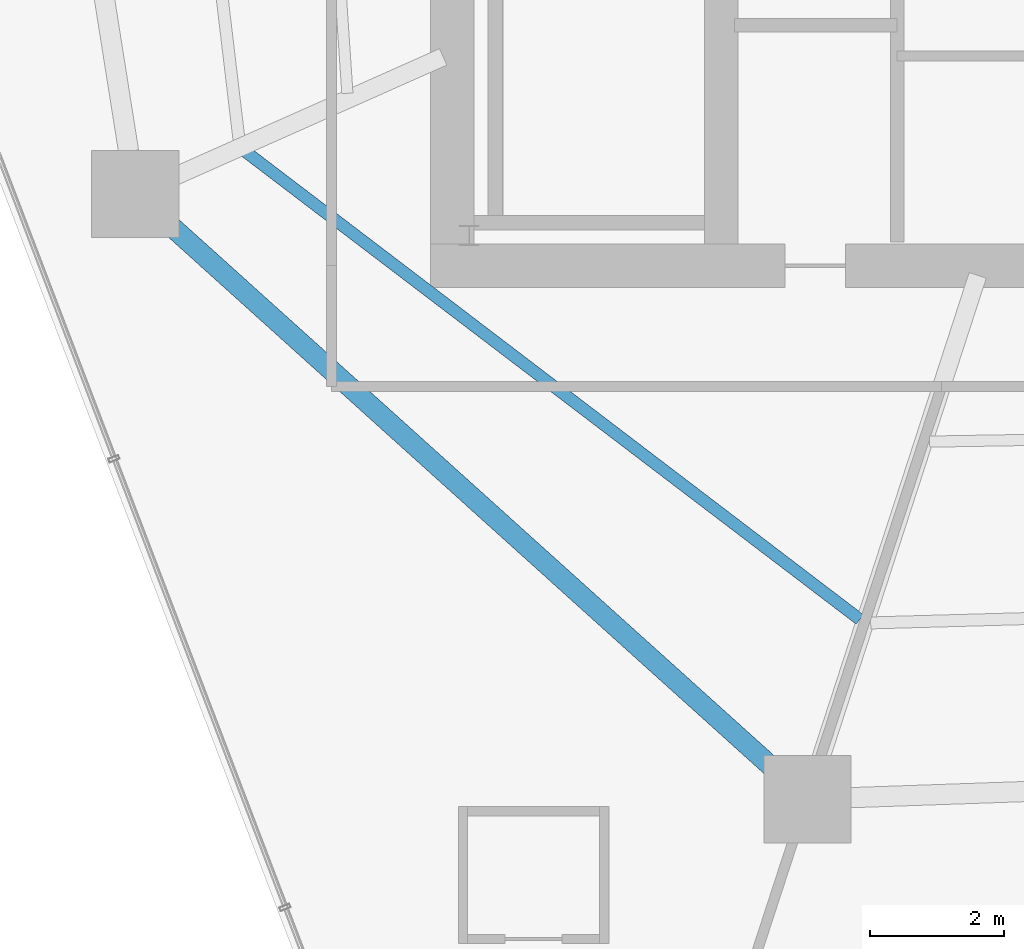
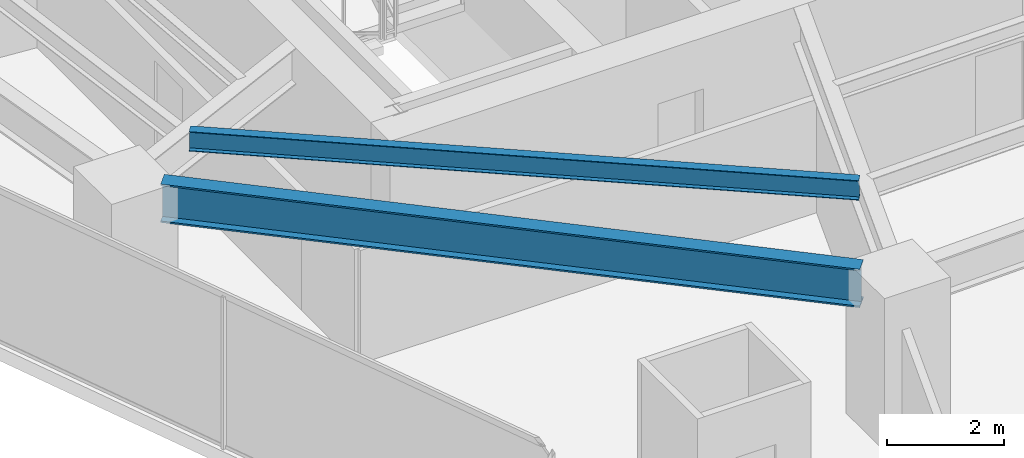
# One storey, part 4 of 31: 2 beams.
"""IFC4 building model written with IfcOpenShell, lengths in metres."""

from ifc_helpers import new_model, si_unit, direction, frame, origin, origin_2d, place, context, subcontext, project, spatial, i_section, extrude, material, material_profile, profile_set, type_object, element, save


model = new_model("IFC4")

# Units and contexts
model_context = context("Model", 3, precision=1e-05, world=origin(), true_north=direction((0.0, 1.0)))
body_context = subcontext(model_context, "Body", "Model", "MODEL_VIEW")
ifc_project = project(units=[si_unit("LENGTHUNIT", "METRE"), si_unit("AREAUNIT", "SQUARE_METRE"), si_unit("VOLUMEUNIT", "CUBIC_METRE"), si_unit("PLANEANGLEUNIT", "RADIAN"), si_unit("MASSUNIT", "GRAM", prefix="KILO")], contexts=[model_context])

# Site, building, storey
site_placement = place(None, origin())
site = spatial("IfcSite", under=ifc_project, at=site_placement, CompositionType="ELEMENT")
building_placement = place(site_placement, origin())
building = spatial("IfcBuilding", under=site, at=building_placement, Name="Qarnah Convention Tower", CompositionType="ELEMENT")
storey_placement = place(building_placement, frame((0.0, 0.0, 33.89990234375)))
storey = spatial("IfcBuildingStorey", under=building, at=storey_placement, Name="L07", CompositionType="ELEMENT", Elevation=33.89990234375)

# Beams
ifc_material = material(Name="Structural steel S355JR", Category="steel")
ifc_material_profile_1 = material_profile(ifc_material, i_section(OverallWidth=0.177978515625, OverallDepth=0.407958984375, WebThickness=0.008056640625, FlangeThickness=0.012939453125, at=origin_2d()), Name="W410X60")
ifc_profile_set_1 = profile_set([ifc_material_profile_1], Name="Structural steel S355JR")
beam_type_1 = type_object("IfcBeamType", Name="BM-JST-W410", PredefinedType="JOIST", material=ifc_profile_set_1)
beam_1_placement = place(storey_placement, frame((23.7099609375, 20.306884765625, 2.966064453125), z_axis=(0.795571473593, -0.60585974483, 0.0), x_axis=(0.60585974483, 0.795571473593, 0.0)))
element("IfcBeam", 1, at=beam_1_placement, inside=storey, type_object=beam_type_1, Name="L07 joist BM-L07-SJST-06", PredefinedType="JOIST", context=body_context, shape_type="SweptSolid", body=[
    extrude(i_section(OverallWidth=0.177978515625, OverallDepth=0.407958984375, WebThickness=0.008056640625, FlangeThickness=0.012939453125, at=origin_2d()), origin(), (0.0, 0.0, 1.0), 11.507568359375),
])
ifc_material_profile_2 = material_profile(ifc_material, i_section(OverallWidth=0.300048828125, OverallDepth=0.800048828125, WebThickness=0.01806640625, FlangeThickness=0.032958984375, at=origin_2d()), Name="HEB800")
ifc_profile_set_2 = profile_set([ifc_material_profile_2], Name="Structural steel S355JR")
beam_type_2 = type_object("IfcBeamType", Name="BM-RING-HEB800", PredefinedType="BEAM", material=ifc_profile_set_2)
beam_2_placement = place(storey_placement, frame((22.556884765625, 19.240966796875, 2.77001953125), z_axis=(0.743082870291, -0.669199408159, 0.0), x_axis=(0.669199408159, 0.743082870291, 0.0)))
element("IfcBeam", 2, at=beam_2_placement, inside=storey, type_object=beam_type_2, Name="L07 beam BM-L07-SPN-06", PredefinedType="BEAM", context=body_context, shape_type="SweptSolid", body=[
    extrude(i_section(OverallWidth=0.300048828125, OverallDepth=0.800048828125, WebThickness=0.01806640625, FlangeThickness=0.032958984375, at=origin_2d()), origin(), (0.0, 0.0, 1.0), 12.183349609375),
])

save(model, "model.ifc")
